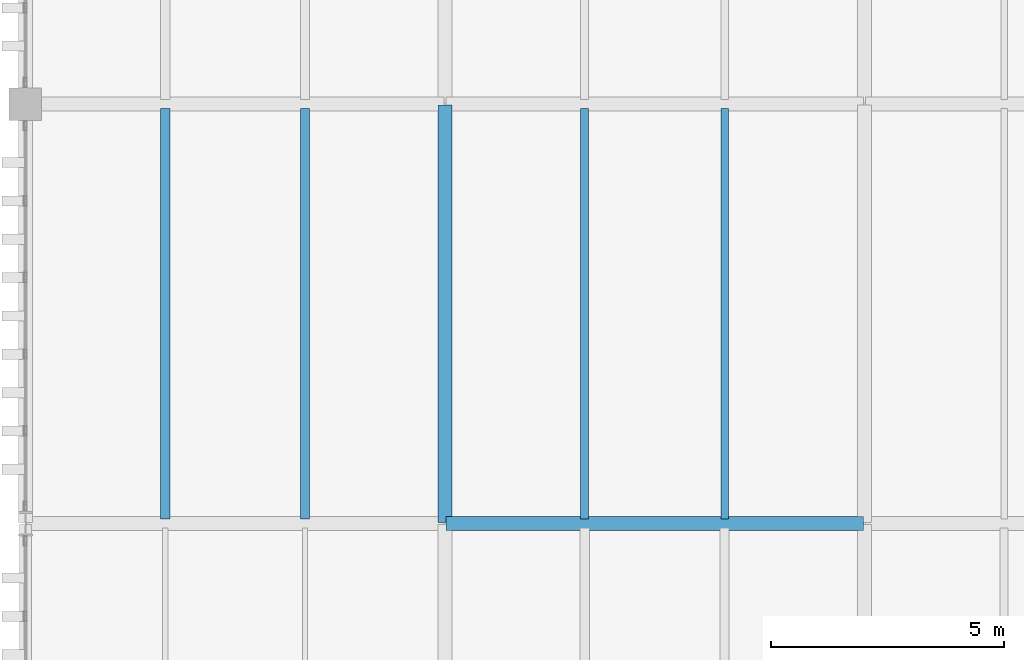
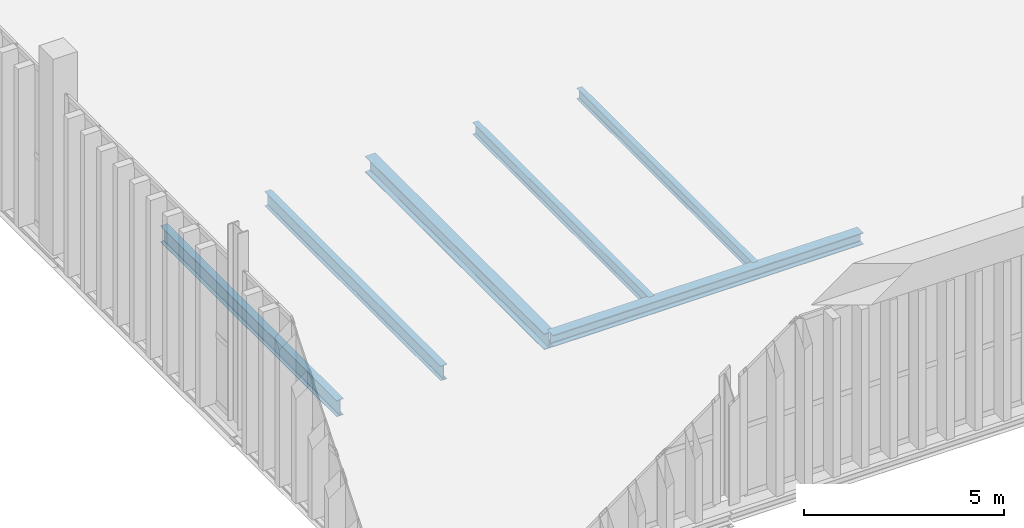
# One storey, part 113 of 237: 6 beams.
"""IFC4 building model written with IfcOpenShell, lengths in metres."""

from ifc_helpers import new_model, si_unit, direction, frame, origin, origin_2d, place, context, subcontext, project, spatial, i_section, extrude, material, material_profile, profile_set, type_object, element, save


model = new_model("IFC4")

# Units and contexts
model_context = context("Model", 3, precision=1e-05, world=origin(), true_north=direction((0.0, 1.0)))
body_context = subcontext(model_context, "Body", "Model", "MODEL_VIEW")
ifc_project = project(units=[si_unit("LENGTHUNIT", "METRE"), si_unit("AREAUNIT", "SQUARE_METRE"), si_unit("VOLUMEUNIT", "CUBIC_METRE"), si_unit("PLANEANGLEUNIT", "RADIAN"), si_unit("MASSUNIT", "GRAM", prefix="KILO")], contexts=[model_context])

# Site, building, storey
site_placement = place(None, origin())
site = spatial("IfcSite", under=ifc_project, at=site_placement, CompositionType="ELEMENT")
building_placement = place(site_placement, origin())
building = spatial("IfcBuilding", under=site, at=building_placement, Name="Barlavento Convention Centre", CompositionType="ELEMENT")
storey_placement = place(building_placement, frame((0.0, 0.0, 12.0)))
storey = spatial("IfcBuildingStorey", under=building, at=storey_placement, Name="L02", CompositionType="ELEMENT", Elevation=12.0)

# Beams
ifc_material = material(Name="Steel S355", Category="steel")
ifc_material_profile_1 = material_profile(ifc_material, i_section(OverallWidth=0.159912109375, OverallDepth=0.330078125, WebThickness=0.007568359375, FlangeThickness=0.011474609375, FilletRadius=0.01806640625, at=origin_2d()), Name="IPE 330")
ifc_profile_set_1 = profile_set([ifc_material_profile_1], Name="Steel S355")
beam_type_1 = type_object("IfcBeamType", Name="STR-BM-JST-IPE330", PredefinedType="JOIST", material=ifc_profile_set_1)
beam_1_placement = place(storey_placement, frame((141.0, 9.094970703125, -0.534912109375), z_axis=(0.0, 1.0, 0.0), x_axis=(-1.0, 0.0, 0.0)))
element("IfcBeam", 1, at=beam_1_placement, inside=storey, type_object=beam_type_1, Name="L02 composite floor joist SJ06", PredefinedType="JOIST", context=body_context, shape_type="SweptSolid", body=[
    extrude(i_section(OverallWidth=0.159912109375, OverallDepth=0.330078125, WebThickness=0.007568359375, FlangeThickness=0.011474609375, FilletRadius=0.01806640625, at=origin_2d()), origin(), (0.0, 0.0, 1.0), 8.81005859375),
])
ifc_material_profile_2 = material_profile(ifc_material, i_section(OverallWidth=0.169921875, OverallDepth=0.360107421875, WebThickness=0.008056640625, FlangeThickness=0.0126953125, FilletRadius=0.01806640625, at=origin_2d()), Name="IPE 360")
ifc_profile_set_2 = profile_set([ifc_material_profile_2], Name="Steel S355")
beam_type_2 = type_object("IfcBeamType", Name="STR-BM-JST-IPE360", PredefinedType="JOIST", material=ifc_profile_set_2)
beam_2_placement = place(storey_placement, frame((138.0, 9.094970703125, -0.550048828125), z_axis=(0.0, 1.0, 0.0), x_axis=(-1.0, 0.0, 0.0)))
element("IfcBeam", 2, at=beam_2_placement, inside=storey, type_object=beam_type_2, Name="L02 composite floor joist SJ05", PredefinedType="JOIST", context=body_context, shape_type="SweptSolid", body=[
    extrude(i_section(OverallWidth=0.169921875, OverallDepth=0.360107421875, WebThickness=0.008056640625, FlangeThickness=0.0126953125, FilletRadius=0.01806640625, at=origin_2d()), origin(), (0.0, 0.0, 1.0), 8.81005859375),
])
ifc_material_profile_3 = material_profile(ifc_material, i_section(OverallWidth=0.18994140625, OverallDepth=0.449951171875, WebThickness=0.009521484375, FlangeThickness=0.0146484375, FilletRadius=0.02099609375, at=origin_2d()), Name="IPE 450")
ifc_profile_set_3 = profile_set([ifc_material_profile_3], Name="Steel S355")
beam_type_3 = type_object("IfcBeamType", Name="STR-BM-JST-IPE450", PredefinedType="JOIST", material=ifc_profile_set_3)
beam_3_placement = place(storey_placement, frame((132.0, 9.094970703125, -0.594970703125), z_axis=(0.0, 1.0, 0.0), x_axis=(-1.0, 0.0, 0.0)))
element("IfcBeam", 3, at=beam_3_placement, inside=storey, type_object=beam_type_3, Name="L02 composite floor joist SJ03", PredefinedType="JOIST", context=body_context, shape_type="SweptSolid", body=[
    extrude(i_section(OverallWidth=0.18994140625, OverallDepth=0.449951171875, WebThickness=0.009521484375, FlangeThickness=0.0146484375, FilletRadius=0.02099609375, at=origin_2d()), origin(), (0.0, 0.0, 1.0), 8.81005859375),
])
ifc_material_profile_4 = material_profile(ifc_material, i_section(OverallWidth=0.199951171875, OverallDepth=0.5, WebThickness=0.01025390625, FlangeThickness=0.01611328125, FilletRadius=0.02099609375, at=origin_2d()), Name="IPE 500")
ifc_profile_set_4 = profile_set([ifc_material_profile_4], Name="Steel S355")
beam_type_4 = type_object("IfcBeamType", Name="STR-BM-JST-IPE500", PredefinedType="JOIST", material=ifc_profile_set_4)
beam_4_placement = place(storey_placement, frame((129.0, 9.094970703125, -0.6201171875), z_axis=(0.0, 1.0, 0.0), x_axis=(-1.0, 0.0, 0.0)))
element("IfcBeam", 4, at=beam_4_placement, inside=storey, type_object=beam_type_4, Name="L02 composite floor joist SJ02", PredefinedType="JOIST", context=body_context, shape_type="SweptSolid", body=[
    extrude(i_section(OverallWidth=0.199951171875, OverallDepth=0.5, WebThickness=0.01025390625, FlangeThickness=0.01611328125, FilletRadius=0.02099609375, at=origin_2d()), origin(), (0.0, 0.0, 1.0), 8.81005859375),
])
ifc_material_profile_5 = material_profile(ifc_material, i_section(OverallWidth=0.300048828125, OverallDepth=0.489990234375, WebThickness=0.011962890625, FlangeThickness=0.02294921875, FilletRadius=0.027099609375, at=origin_2d()), Name="HEA 500")
ifc_profile_set_5 = profile_set([ifc_material_profile_5], Name="Steel S355")
beam_type_5 = type_object("IfcBeamType", Name="STR-BM-PRI-HEA500", PredefinedType="BEAM", material=ifc_profile_set_5)
beam_5_placement = place(storey_placement, frame((135.0, 9.02001953125, -0.614990234375), z_axis=(0.0, 1.0, 0.0), x_axis=(-1.0, 0.0, 0.0)))
element("IfcBeam", 5, at=beam_5_placement, inside=storey, type_object=beam_type_5, Name="L02 grid girder BG20", PredefinedType="BEAM", context=body_context, shape_type="SweptSolid", body=[
    extrude(i_section(OverallWidth=0.300048828125, OverallDepth=0.489990234375, WebThickness=0.011962890625, FlangeThickness=0.02294921875, FilletRadius=0.027099609375, at=origin_2d()), origin(), (0.0, 0.0, 1.0), 8.9599609375),
])
ifc_material_profile_6 = material_profile(ifc_material, i_section(OverallWidth=0.300048828125, OverallDepth=0.360107421875, WebThickness=0.012451171875, FlangeThickness=0.0224609375, FilletRadius=0.027099609375, at=origin_2d()), Name="HEB 360")
ifc_profile_set_6 = profile_set([ifc_material_profile_6], Name="Steel S355")
beam_type_6 = type_object("IfcBeamType", Name="STR-BM-PRI-HEB360", PredefinedType="BEAM", material=ifc_profile_set_6)
beam_6_placement = place(storey_placement, frame((135.02001953125, 9.0, -0.550048828125), z_axis=(1.0, 0.0, 0.0), x_axis=(0.0, 1.0, 0.0)))
element("IfcBeam", 6, at=beam_6_placement, inside=storey, type_object=beam_type_6, Name="L02 primary girder BG12", PredefinedType="BEAM", context=body_context, shape_type="SweptSolid", body=[
    extrude(i_section(OverallWidth=0.300048828125, OverallDepth=0.360107421875, WebThickness=0.012451171875, FlangeThickness=0.0224609375, FilletRadius=0.027099609375, at=origin_2d()), origin(), (0.0, 0.0, 1.0), 8.9599609375),
])

save(model, "model.ifc")
